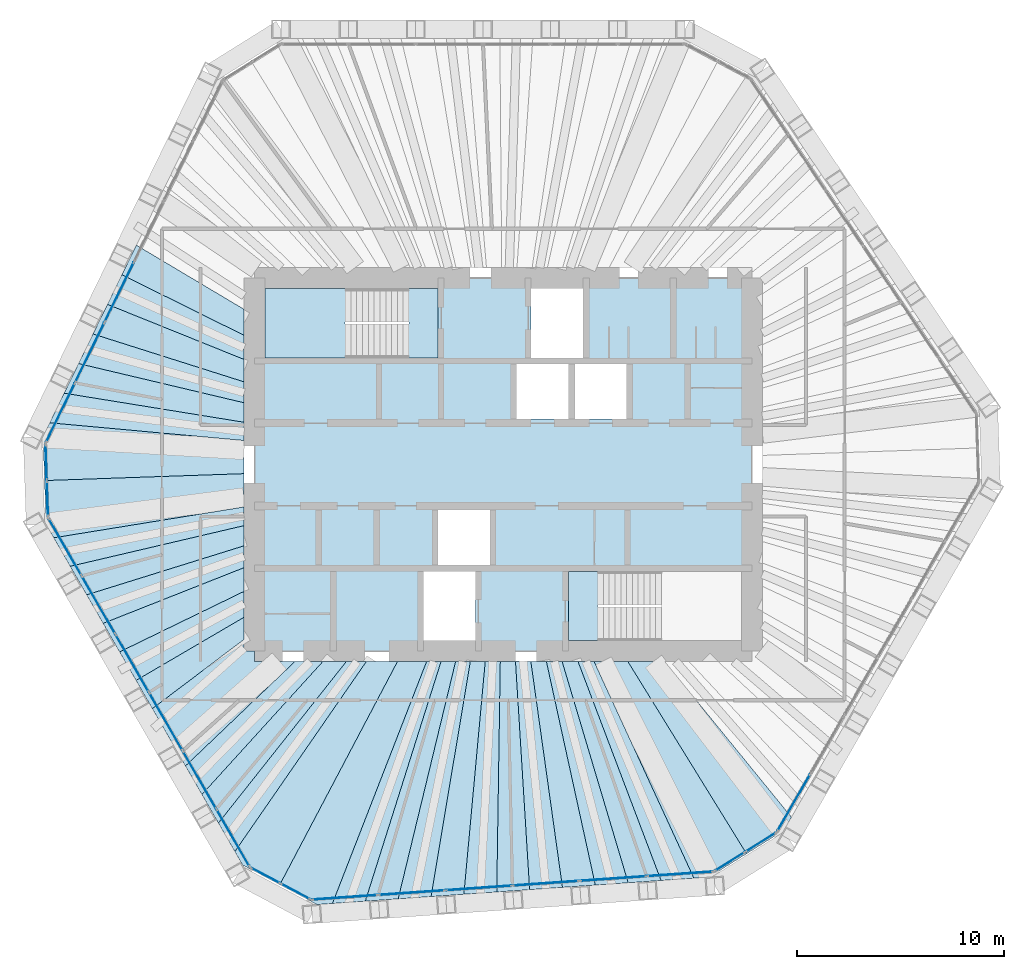
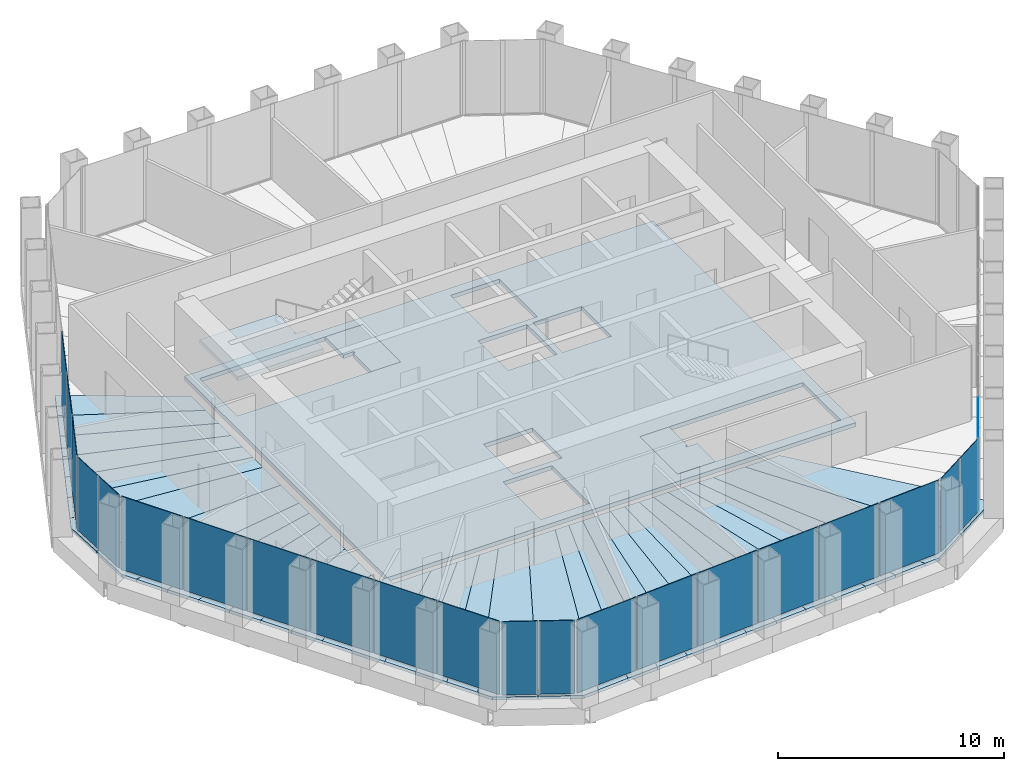
# One storey, part 9 of 14: 37 slabs, 22 plates, 9 elements without a shape of their own.
"""IFC4 building model written with IfcOpenShell, lengths in metres."""

from ifc_helpers import new_model, si_unit, direction, frame, origin, origin_2d, place, context, subcontext, project, spatial, polyline, rectangle, outline, extrude, material, layer, layer_set, type_object, element, aggregate, save


model = new_model("IFC4")

# Units and contexts
model_context = context("Model", 3, precision=1e-05, world=origin(), true_north=direction((0.0, 1.0)))
body_context = subcontext(model_context, "Body", "Model", "MODEL_VIEW")
ifc_project = project(units=[si_unit("LENGTHUNIT", "METRE"), si_unit("AREAUNIT", "SQUARE_METRE"), si_unit("VOLUMEUNIT", "CUBIC_METRE"), si_unit("PLANEANGLEUNIT", "RADIAN"), si_unit("MASSUNIT", "GRAM", prefix="KILO")], contexts=[model_context])

# Site, building, storey
site_placement = place(None, origin())
site = spatial("IfcSite", under=ifc_project, at=site_placement, CompositionType="ELEMENT")
building_placement = place(site_placement, origin())
building = spatial("IfcBuilding", under=site, at=building_placement, Name="Qingtian Harvest Tower", CompositionType="ELEMENT")
storey_placement = place(building_placement, frame((0.0, 0.0, 266.199951171875)))
storey = spatial("IfcBuildingStorey", under=building, at=storey_placement, Name="L58", CompositionType="ELEMENT", Elevation=266.199951171875)

# Slabs
ifc_material_1 = material(Name="Concrete fc' 35 MPa", Category="concrete")
ifc_layer_1 = layer(ifc_material_1, 0.169921875)
ifc_layer_set_1 = layer_set([ifc_layer_1], Name="Composite floor slab FS17 170")
slab_type_1 = type_object("IfcSlabType", Name="Composite floor slab FS17 170", PredefinedType="FLOOR", material=ifc_layer_set_1)
slab_1_placement = place(storey_placement, frame((0.0, 0.0, -0.169921875)))
element("IfcSlab", 1, at=slab_1_placement, inside=storey, type_object=slab_type_1, Name="Floor slab L58 panel D01", PredefinedType="FLOOR", context=body_context, shape_type="SweptSolid", body=[
    extrude(outline(polyline([(-22.1396484375, -0.7734375), (-12.5, -0.4404296875), (-12.5, -2.044921875), (-21.693603515625, -3.53564453125), (-22.06591796875, -2.890869140625), (-22.1396484375, -0.7734375)])), origin(), (0.0, 0.0, 1.0), 0.169921875),
])
slab_2_placement = place(storey_placement, frame((0.0, 0.0, -0.169921875)))
element("IfcSlab", 2, at=slab_2_placement, inside=storey, type_object=slab_type_1, Name="Floor slab L58 panel D02", PredefinedType="FLOOR", context=body_context, shape_type="SweptSolid", body=[
    extrude(outline(polyline([(-12.5, -2.94677734375), (-20.898681640625, -4.912109375), (-21.693603515625, -3.53564453125), (-12.5, -2.044921875), (-12.5, -2.94677734375)])), origin(), (0.0, 0.0, 1.0), 0.169921875),
])
slab_3_placement = place(storey_placement, frame((0.0, 0.0, -0.169921875)))
element("IfcSlab", 3, at=slab_3_placement, inside=storey, type_object=slab_type_1, Name="Floor slab L58 panel D03", PredefinedType="FLOOR", context=body_context, shape_type="SweptSolid", body=[
    extrude(outline(polyline([(-12.5, -3.919921875), (-20.10400390625, -6.288818359375), (-20.898681640625, -4.912109375), (-12.5, -2.94677734375), (-12.5, -3.919921875)])), origin(), (0.0, 0.0, 1.0), 0.169921875),
])
slab_4_placement = place(storey_placement, frame((0.0, 0.0, -0.169921875)))
element("IfcSlab", 4, at=slab_4_placement, inside=storey, type_object=slab_type_1, Name="Floor slab L58 panel D04", PredefinedType="FLOOR", context=body_context, shape_type="SweptSolid", body=[
    extrude(outline(polyline([(-12.5, -4.973388671875), (-19.30908203125, -7.66552734375), (-20.10400390625, -6.288818359375), (-12.5, -3.919921875), (-12.5, -4.973388671875)])), origin(), (0.0, 0.0, 1.0), 0.169921875),
])
slab_5_placement = place(storey_placement, frame((0.0, 0.0, -0.169921875)))
element("IfcSlab", 5, at=slab_5_placement, inside=storey, type_object=slab_type_1, Name="Floor slab L58 panel D05", PredefinedType="FLOOR", context=body_context, shape_type="SweptSolid", body=[
    extrude(outline(polyline([(-12.5, -6.1171875), (-18.51416015625, -9.042236328125), (-19.30908203125, -7.66552734375), (-12.5, -4.973388671875), (-12.5, -6.1171875)])), origin(), (0.0, 0.0, 1.0), 0.169921875),
])
slab_6_placement = place(storey_placement, frame((0.0, 0.0, -0.169921875)))
element("IfcSlab", 6, at=slab_6_placement, inside=storey, type_object=slab_type_1, Name="Floor slab L58 panel D06", PredefinedType="FLOOR", context=body_context, shape_type="SweptSolid", body=[
    extrude(outline(polyline([(-12.5, -7.364013671875), (-17.719482421875, -10.419189453125), (-18.51416015625, -9.042236328125), (-12.5, -6.1171875), (-12.5, -7.364013671875)])), origin(), (0.0, 0.0, 1.0), 0.169921875),
])
slab_7_placement = place(storey_placement, frame((0.0, 0.0, -0.169921875)))
element("IfcSlab", 7, at=slab_7_placement, inside=storey, type_object=slab_type_1, Name="Floor slab L58 panel D07", PredefinedType="FLOOR", context=body_context, shape_type="SweptSolid", body=[
    extrude(outline(polyline([(-12.5, -8.432373046875), (-16.93359375, -11.780029296875), (-17.719482421875, -10.419189453125), (-12.5, -7.364013671875), (-12.5, -8.432373046875)])), origin(), (0.0, 0.0, 1.0), 0.169921875),
])
slab_8_placement = place(storey_placement, frame((0.0, 0.0, -0.169921875)))
element("IfcSlab", 8, at=slab_8_placement, inside=storey, type_object=slab_type_1, Name="Floor slab L58 panel D09", PredefinedType="FLOOR", context=body_context, shape_type="SweptSolid", body=[
    extrude(outline(polyline([(-15.336181640625, -14.547119140625), (-16.93359375, -11.780029296875), (-12.5, -8.432373046875), (-12.5, -9.0), (-12.0, -9.0), (-12.0, -9.5), (-10.048828125, -9.5), (-15.336181640625, -14.547119140625)])), origin(), (0.0, 0.0, 1.0), 0.169921875),
])
slab_9_placement = place(storey_placement, frame((0.0, 0.0, -0.169921875)))
element("IfcSlab", 9, at=slab_9_placement, inside=storey, type_object=slab_type_1, Name="Floor slab L58 panel D10", PredefinedType="FLOOR", context=body_context, shape_type="SweptSolid", body=[
    extrude(outline(polyline([(-8.70068359375, -9.5), (-14.541259765625, -15.924072265625), (-15.336181640625, -14.547119140625), (-10.048828125, -9.5), (-8.70068359375, -9.5)])), origin(), (0.0, 0.0, 1.0), 0.169921875),
])
slab_10_placement = place(storey_placement, frame((0.0, 0.0, -0.169921875)))
element("IfcSlab", 10, at=slab_10_placement, inside=storey, type_object=slab_type_1, Name="Floor slab L58 panel D11", PredefinedType="FLOOR", context=body_context, shape_type="SweptSolid", body=[
    extrude(outline(polyline([(-7.568359375, -9.5), (-13.746337890625, -17.30078125), (-14.541259765625, -15.924072265625), (-8.70068359375, -9.5), (-7.568359375, -9.5)])), origin(), (0.0, 0.0, 1.0), 0.169921875),
])
slab_11_placement = place(storey_placement, frame((0.0, 0.0, -0.169921875)))
element("IfcSlab", 11, at=slab_11_placement, inside=storey, type_object=slab_type_1, Name="Floor slab L58 panel D12", PredefinedType="FLOOR", context=body_context, shape_type="SweptSolid", body=[
    extrude(outline(polyline([(-6.603515625, -9.5), (-12.951416015625, -18.677734375), (-13.746337890625, -17.30078125), (-7.568359375, -9.5), (-6.603515625, -9.5)])), origin(), (0.0, 0.0, 1.0), 0.169921875),
])
slab_12_placement = place(storey_placement, frame((0.0, 0.0, -0.169921875)))
element("IfcSlab", 12, at=slab_12_placement, inside=storey, type_object=slab_type_1, Name="Floor slab L58 panel D13", PredefinedType="FLOOR", context=body_context, shape_type="SweptSolid", body=[
    extrude(outline(polyline([(-6.603515625, -9.5), (-5.10009765625, -9.5), (-10.783447265625, -20.277099609375), (-12.5791015625, -19.322509765625), (-12.951416015625, -18.677734375), (-6.603515625, -9.5)])), origin(), (0.0, 0.0, 1.0), 0.169921875),
])
slab_13_placement = place(storey_placement, frame((0.0, 0.0, -0.169921875)))
element("IfcSlab", 13, at=slab_13_placement, inside=storey, type_object=slab_type_1, Name="Floor slab L58 panel D14", PredefinedType="FLOOR", context=body_context, shape_type="SweptSolid", body=[
    extrude(outline(polyline([(-5.10009765625, -9.5), (-3.696044921875, -9.5), (-8.24267578125, -21.181640625), (-8.98486328125, -21.2333984375), (-10.783447265625, -20.277099609375), (-5.10009765625, -9.5)])), origin(), (0.0, 0.0, 1.0), 0.169921875),
])
slab_14_placement = place(storey_placement, frame((0.0, 0.0, -0.169921875)))
element("IfcSlab", 14, at=slab_14_placement, inside=storey, type_object=slab_type_1, Name="Floor slab L58 panel D15", PredefinedType="FLOOR", context=body_context, shape_type="SweptSolid", body=[
    extrude(outline(polyline([(-3.00048828125, -9.5), (-6.656982421875, -21.07080078125), (-8.24267578125, -21.181640625), (-3.696044921875, -9.5), (-3.00048828125, -9.5)])), origin(), (0.0, 0.0, 1.0), 0.169921875),
])
slab_15_placement = place(storey_placement, frame((0.0, 0.0, -0.169921875)))
element("IfcSlab", 15, at=slab_15_placement, inside=storey, type_object=slab_type_1, Name="Floor slab L58 panel D16", PredefinedType="FLOOR", context=body_context, shape_type="SweptSolid", body=[
    extrude(outline(polyline([(-2.297607421875, -9.5), (-5.0712890625, -20.959716796875), (-6.656982421875, -21.07080078125), (-3.00048828125, -9.5), (-2.297607421875, -9.5)])), origin(), (0.0, 0.0, 1.0), 0.169921875),
])
slab_16_placement = place(storey_placement, frame((0.0, 0.0, -0.169921875)))
element("IfcSlab", 16, at=slab_16_placement, inside=storey, type_object=slab_type_1, Name="Floor slab L58 panel D17", PredefinedType="FLOOR", context=body_context, shape_type="SweptSolid", body=[
    extrude(outline(polyline([(-1.58740234375, -9.5), (-3.485595703125, -20.848876953125), (-5.0712890625, -20.959716796875), (-2.297607421875, -9.5), (-1.58740234375, -9.5)])), origin(), (0.0, 0.0, 1.0), 0.169921875),
])
slab_17_placement = place(storey_placement, frame((0.0, 0.0, -0.169921875)))
element("IfcSlab", 17, at=slab_17_placement, inside=storey, type_object=slab_type_1, Name="Floor slab L58 panel D18", PredefinedType="FLOOR", context=body_context, shape_type="SweptSolid", body=[
    extrude(outline(polyline([(-0.869384765625, -9.5), (-1.89990234375, -20.738037109375), (-3.485595703125, -20.848876953125), (-1.58740234375, -9.5), (-0.869384765625, -9.5)])), origin(), (0.0, 0.0, 1.0), 0.169921875),
])
slab_18_placement = place(storey_placement, frame((0.0, 0.0, -0.169921875)))
element("IfcSlab", 18, at=slab_18_placement, inside=storey, type_object=slab_type_1, Name="Floor slab L58 panel D19", PredefinedType="FLOOR", context=body_context, shape_type="SweptSolid", body=[
    extrude(outline(polyline([(-0.143798828125, -9.5), (-0.314208984375, -20.627197265625), (-1.89990234375, -20.738037109375), (-0.869384765625, -9.5), (-0.143798828125, -9.5)])), origin(), (0.0, 0.0, 1.0), 0.169921875),
])
slab_19_placement = place(storey_placement, frame((0.0, 0.0, -0.169921875)))
element("IfcSlab", 19, at=slab_19_placement, inside=storey, type_object=slab_type_1, Name="Floor slab L58 panel D20", PredefinedType="FLOOR", context=body_context, shape_type="SweptSolid", body=[
    extrude(outline(polyline([(0.58984375, -9.5), (1.271728515625, -20.516357421875), (-0.314208984375, -20.627197265625), (-0.143798828125, -9.5), (0.58984375, -9.5)])), origin(), (0.0, 0.0, 1.0), 0.169921875),
])
slab_20_placement = place(storey_placement, frame((0.0, 0.0, -0.169921875)))
element("IfcSlab", 20, at=slab_20_placement, inside=storey, type_object=slab_type_1, Name="Floor slab L58 panel D21", PredefinedType="FLOOR", context=body_context, shape_type="SweptSolid", body=[
    extrude(outline(polyline([(1.331298828125, -9.5), (2.857421875, -20.4052734375), (1.271728515625, -20.516357421875), (0.58984375, -9.5), (1.331298828125, -9.5)])), origin(), (0.0, 0.0, 1.0), 0.169921875),
])
slab_21_placement = place(storey_placement, frame((0.0, 0.0, -0.169921875)))
element("IfcSlab", 21, at=slab_21_placement, inside=storey, type_object=slab_type_1, Name="Floor slab L58 panel D22", PredefinedType="FLOOR", context=body_context, shape_type="SweptSolid", body=[
    extrude(outline(polyline([(2.080810546875, -9.5), (4.443115234375, -20.29443359375), (2.857421875, -20.4052734375), (1.331298828125, -9.5), (2.080810546875, -9.5)])), origin(), (0.0, 0.0, 1.0), 0.169921875),
])
slab_22_placement = place(storey_placement, frame((0.0, 0.0, -0.169921875)))
element("IfcSlab", 22, at=slab_22_placement, inside=storey, type_object=slab_type_1, Name="Floor slab L58 panel D23", PredefinedType="FLOOR", context=body_context, shape_type="SweptSolid", body=[
    extrude(outline(polyline([(2.838623046875, -9.5), (6.02880859375, -20.18359375), (4.443115234375, -20.29443359375), (2.080810546875, -9.5), (2.838623046875, -9.5)])), origin(), (0.0, 0.0, 1.0), 0.169921875),
])
slab_23_placement = place(storey_placement, frame((0.0, 0.0, -0.169921875)))
element("IfcSlab", 23, at=slab_23_placement, inside=storey, type_object=slab_type_1, Name="Floor slab L58 panel D24", PredefinedType="FLOOR", context=body_context, shape_type="SweptSolid", body=[
    extrude(outline(polyline([(3.604736328125, -9.5), (7.614501953125, -20.07275390625), (6.02880859375, -20.18359375), (2.838623046875, -9.5), (3.604736328125, -9.5)])), origin(), (0.0, 0.0, 1.0), 0.169921875),
])
slab_24_placement = place(storey_placement, frame((0.0, 0.0, -0.169921875)))
element("IfcSlab", 24, at=slab_24_placement, inside=storey, type_object=slab_type_1, Name="Floor slab L58 panel D25", PredefinedType="FLOOR", context=body_context, shape_type="SweptSolid", body=[
    extrude(outline(polyline([(4.379638671875, -9.5), (9.2001953125, -19.9619140625), (7.614501953125, -20.07275390625), (3.604736328125, -9.5), (4.379638671875, -9.5)])), origin(), (0.0, 0.0, 1.0), 0.169921875),
])
slab_25_placement = place(storey_placement, frame((0.0, 0.0, -0.169921875)))
element("IfcSlab", 25, at=slab_25_placement, inside=storey, type_object=slab_type_1, Name="Floor slab L58 panel D26", PredefinedType="FLOOR", context=body_context, shape_type="SweptSolid", body=[
    extrude(outline(polyline([(4.379638671875, -9.5), (6.0087890625, -9.5), (11.74169921875, -18.78564453125), (9.9423828125, -19.909912109375), (9.2001953125, -19.9619140625), (4.379638671875, -9.5)])), origin(), (0.0, 0.0, 1.0), 0.169921875),
])
slab_26_placement = place(storey_placement, frame((0.0, 0.0, -0.169921875)))
element("IfcSlab", 26, at=slab_26_placement, inside=storey, type_object=slab_type_1, Name="Floor slab L58 panel D27", PredefinedType="FLOOR", context=body_context, shape_type="SweptSolid", body=[
    extrude(outline(polyline([(6.0087890625, -9.5), (7.78515625, -9.5), (13.908935546875, -17.01904296875), (13.53662109375, -17.6640625), (11.74169921875, -18.78564453125), (6.0087890625, -9.5)])), origin(), (0.0, 0.0, 1.0), 0.169921875),
])
slab_27_placement = place(storey_placement, frame((0.0, 0.0, -0.169921875)))
element("IfcSlab", 27, at=slab_27_placement, inside=storey, type_object=slab_type_1, Name="Floor slab L58 panel D72", PredefinedType="FLOOR", context=body_context, shape_type="SweptSolid", body=[
    extrude(outline(polyline([(-12.5, 6.23095703125), (-18.403076171875, 9.157470703125), (-17.706298828125, 10.58642578125), (-12.5, 7.48583984375), (-12.5, 6.23095703125)])), origin(), (0.0, 0.0, 1.0), 0.169921875),
])
slab_28_placement = place(storey_placement, frame((0.0, 0.0, -0.169921875)))
element("IfcSlab", 28, at=slab_28_placement, inside=storey, type_object=slab_type_1, Name="Floor slab L58 panel D73", PredefinedType="FLOOR", context=body_context, shape_type="SweptSolid", body=[
    extrude(outline(polyline([(-12.5, 5.06787109375), (-19.10009765625, 7.728759765625), (-18.403076171875, 9.157470703125), (-12.5, 6.23095703125), (-12.5, 5.06787109375)])), origin(), (0.0, 0.0, 1.0), 0.169921875),
])
slab_29_placement = place(storey_placement, frame((0.0, 0.0, -0.169921875)))
element("IfcSlab", 29, at=slab_29_placement, inside=storey, type_object=slab_type_1, Name="Floor slab L58 panel D74", PredefinedType="FLOOR", context=body_context, shape_type="SweptSolid", body=[
    extrude(outline(polyline([(-12.5, 3.986572265625), (-19.796875, 6.2998046875), (-19.10009765625, 7.728759765625), (-12.5, 5.06787109375), (-12.5, 3.986572265625)])), origin(), (0.0, 0.0, 1.0), 0.169921875),
])
slab_30_placement = place(storey_placement, frame((0.0, 0.0, -0.169921875)))
element("IfcSlab", 30, at=slab_30_placement, inside=storey, type_object=slab_type_1, Name="Floor slab L58 panel D75", PredefinedType="FLOOR", context=body_context, shape_type="SweptSolid", body=[
    extrude(outline(polyline([(-12.5, 2.97900390625), (-20.49365234375, 4.87109375), (-19.796875, 6.2998046875), (-12.5, 3.986572265625), (-12.5, 2.97900390625)])), origin(), (0.0, 0.0, 1.0), 0.169921875),
])
slab_31_placement = place(storey_placement, frame((0.0, 0.0, -0.169921875)))
element("IfcSlab", 31, at=slab_31_placement, inside=storey, type_object=slab_type_1, Name="Floor slab L58 panel D76", PredefinedType="FLOOR", context=body_context, shape_type="SweptSolid", body=[
    extrude(outline(polyline([(-12.5, 2.037841796875), (-21.190673828125, 3.4423828125), (-20.49365234375, 4.87109375), (-12.5, 2.97900390625), (-12.5, 2.037841796875)])), origin(), (0.0, 0.0, 1.0), 0.169921875),
])
slab_32_placement = place(storey_placement, frame((0.0, 0.0, -0.169921875)))
element("IfcSlab", 32, at=slab_32_placement, inside=storey, type_object=slab_type_1, Name="Floor slab L58 panel D77", PredefinedType="FLOOR", context=body_context, shape_type="SweptSolid", body=[
    extrude(outline(polyline([(-12.5, 1.156494140625), (-21.887451171875, 2.013671875), (-21.190673828125, 3.4423828125), (-12.5, 2.037841796875), (-12.5, 1.156494140625)])), origin(), (0.0, 0.0, 1.0), 0.169921875),
])
slab_33_placement = place(storey_placement, frame((0.0, 0.0, -0.169921875)))
element("IfcSlab", 33, at=slab_33_placement, inside=storey, type_object=slab_type_1, Name="Floor slab L58 panel D78", PredefinedType="FLOOR", context=body_context, shape_type="SweptSolid", body=[
    extrude(outline(polyline([(-12.5, 1.156494140625), (-12.5, -0.4404296875), (-22.1396484375, -0.7734375), (-22.213623046875, 1.3447265625), (-21.887451171875, 2.013671875), (-12.5, 1.156494140625)])), origin(), (0.0, 0.0, 1.0), 0.169921875),
])
ifc_material_2 = material(Name="Concrete fc' 35 MPa", Category="concrete")
ifc_layer_2 = layer(ifc_material_2, 0.219970703125)
ifc_layer_set_2 = layer_set([ifc_layer_2], Name="Core floor slab CS22 220")
slab_type_2 = type_object("IfcSlabType", Name="Core floor slab CS22 220", PredefinedType="FLOOR", material=ifc_layer_set_2)
slab_34_placement = place(storey_placement, frame((0.0, 0.0, -0.219970703125)))
element("IfcSlab", 34, at=slab_34_placement, inside=storey, type_object=slab_type_2, Name="Core floor slab L58", PredefinedType="FLOOR", context=body_context, shape_type="SweptSolid", body=[
    extrude(outline(polyline([(-12.0, -9.0), (12.0, -9.0), (12.0, 9.0), (-12.0, 9.0), (-12.0, -9.0)]), holes=[polyline([(-11.5, 5.14990234375), (-3.14990234375, 5.14990234375), (-3.14990234375, 8.5), (-11.5, 8.5), (-11.5, 5.14990234375)]), polyline([(3.14990234375, -8.5), (11.5, -8.5), (11.5, -5.14990234375), (3.14990234375, -5.14990234375), (3.14990234375, -8.5)]), polyline([(1.35009765625, 5.14990234375), (3.85009765625, 5.14990234375), (3.85009765625, 8.5), (1.35009765625, 8.5), (1.35009765625, 5.14990234375)]), polyline([(-3.85009765625, -8.5), (-1.35009765625, -8.5), (-1.35009765625, -5.14990234375), (-3.85009765625, -5.14990234375), (-3.85009765625, -8.5)]), polyline([(0.64990234375, 2.199951171875), (3.14990234375, 2.199951171875), (3.14990234375, 4.85009765625), (0.64990234375, 4.85009765625), (0.64990234375, 2.199951171875)]), polyline([(3.449951171875, 2.199951171875), (5.949951171875, 2.199951171875), (5.949951171875, 4.85009765625), (3.449951171875, 4.85009765625), (3.449951171875, 2.199951171875)]), polyline([(-3.14990234375, -4.85009765625), (-0.64990234375, -4.85009765625), (-0.64990234375, -2.199951171875), (-3.14990234375, -2.199951171875), (-3.14990234375, -4.85009765625)])]), origin(), (0.0, 0.0, 1.0), 0.219970703125),
])

# Curtain wall, plate
ifc_material_3 = material(Name="Bronze-anodised aluminium curtain wall", Category="aluminium")
curtain_wall_type = type_object("IfcCurtainWallType", Name="Curtain wall CW5 upper office", PredefinedType="USERDEFINED", material=ifc_material_3)
curtain_wall_1_placement = place(storey_placement, origin())
curtain_wall_1 = element("IfcCurtainWall", 35, at=curtain_wall_1_placement, inside=storey, type_object=curtain_wall_type, Name="Curtain wall CW5 L58 SE0-5", ObjectType="RECESSED CURTAIN WALL", PredefinedType="USERDEFINED")
ifc_material_4 = material(Name="Bronze-tinted laminated insulating glass", Category="glass")
ifc_layer_3 = layer(ifc_material_4, 0.030029296875)
ifc_layer_set_3 = layer_set([ifc_layer_3], Name="Glazed panel CWP tinted IGU")
plate_type = type_object("IfcPlateType", Name="Glazed panel CWP tinted IGU", PredefinedType="CURTAIN_PANEL", material=ifc_layer_set_3)
plate_1_placement = place(storey_placement, frame((14.017578125, -16.321044921875, 0.06494140625), z_axis=(0.0, 0.0, 1.0), x_axis=(-0.5, -0.866025403784, 0.0)))
plate_1 = element("IfcPlate", 36, at=plate_1_placement, type_object=plate_type, Name="CW5 panel 6.1", PredefinedType="CURTAIN_PANEL", context=body_context, shape_type="SweptSolid", body=[
    extrude(rectangle(XDim=3.150634765625, YDim=0.030029296875, at=origin_2d()), origin(), (0.0, 0.0, 1.0), 3.965087890625),
])
aggregate(curtain_wall_1, [plate_1])

# Curtain wall, plates
curtain_wall_2_placement = place(storey_placement, origin())
curtain_wall_2 = element("IfcCurtainWall", 37, at=curtain_wall_2_placement, inside=storey, type_object=curtain_wall_type, Name="Curtain wall CW5 L58 SEC", ObjectType="RECESSED CURTAIN WALL", PredefinedType="USERDEFINED")
plate_2_placement = place(storey_placement, frame((12.42431640625, -18.224609375, 0.06494140625), z_axis=(0.0, 0.0, 1.0), x_axis=(-0.848048096156, -0.529919264233, 0.0)))
plate_2 = element("IfcPlate", 38, at=plate_2_placement, type_object=plate_type, Name="CW5 panel 1.1", PredefinedType="CURTAIN_PANEL", context=body_context, shape_type="SweptSolid", body=[
    extrude(rectangle(XDim=1.69287109375, YDim=0.030029296875, at=origin_2d()), origin(), (0.0, 0.0, 1.0), 3.965087890625),
])
plate_3_placement = place(storey_placement, frame((10.93359375, -19.156005859375, 0.06494140625), z_axis=(0.0, 0.0, 1.0), x_axis=(-0.848048096156, -0.529919264233, 0.0)))
plate_3 = element("IfcPlate", 39, at=plate_3_placement, type_object=plate_type, Name="CW5 panel 2.1", PredefinedType="CURTAIN_PANEL", context=body_context, shape_type="SweptSolid", body=[
    extrude(rectangle(XDim=1.69287109375, YDim=0.030029296875, at=origin_2d()), origin(), (0.0, 0.0, 1.0), 3.965087890625),
])
aggregate(curtain_wall_2, [plate_2, plate_3])

curtain_wall_3_placement = place(storey_placement, origin())
curtain_wall_3 = element("IfcCurtainWall", 40, at=curtain_wall_3_placement, inside=storey, type_object=curtain_wall_type, Name="Curtain wall CW5 L58 S0-5", ObjectType="RECESSED CURTAIN WALL", PredefinedType="USERDEFINED")
plate_4_placement = place(storey_placement, frame((8.5244140625, -19.75341796875, 0.06494140625), z_axis=(0.0, 0.0, 1.0), x_axis=(-0.99756405026, -0.069756473744, 0.0)))
plate_4 = element("IfcPlate", 41, at=plate_4_placement, type_object=plate_type, Name="CW5 panel 1.1", PredefinedType="CURTAIN_PANEL", context=body_context, shape_type="SweptSolid", body=[
    extrude(rectangle(XDim=3.150634765625, YDim=0.030029296875, at=origin_2d()), origin(), (0.0, 0.0, 1.0), 3.965087890625),
])
plate_5_placement = place(storey_placement, frame((5.300537109375, -19.97900390625, 0.06494140625), z_axis=(0.0, 0.0, 1.0), x_axis=(-0.99756405026, -0.069756473744, 0.0)))
plate_5 = element("IfcPlate", 42, at=plate_5_placement, type_object=plate_type, Name="CW5 panel 2.1", PredefinedType="CURTAIN_PANEL", context=body_context, shape_type="SweptSolid", body=[
    extrude(rectangle(XDim=3.18310546875, YDim=0.030029296875, at=origin_2d()), origin(), (0.0, 0.0, 1.0), 3.965087890625),
])
plate_6_placement = place(storey_placement, frame((2.060302734375, -20.20556640625, 0.06494140625), z_axis=(0.0, 0.0, 1.0), x_axis=(-0.99756405026, -0.069756473744, 0.0)))
plate_6 = element("IfcPlate", 43, at=plate_6_placement, type_object=plate_type, Name="CW5 panel 3.1", PredefinedType="CURTAIN_PANEL", context=body_context, shape_type="SweptSolid", body=[
    extrude(rectangle(XDim=3.18310546875, YDim=0.030029296875, at=origin_2d()), origin(), (0.0, 0.0, 1.0), 3.965087890625),
])
plate_7_placement = place(storey_placement, frame((-1.1796875, -20.43212890625, 0.06494140625), z_axis=(0.0, 0.0, 1.0), x_axis=(-0.99756405026, -0.069756473744, 0.0)))
plate_7 = element("IfcPlate", 44, at=plate_7_placement, type_object=plate_type, Name="CW5 panel 4.1", PredefinedType="CURTAIN_PANEL", context=body_context, shape_type="SweptSolid", body=[
    extrude(rectangle(XDim=3.18310546875, YDim=0.030029296875, at=origin_2d()), origin(), (0.0, 0.0, 1.0), 3.965087890625),
])
plate_8_placement = place(storey_placement, frame((-4.419921875, -20.65869140625, 0.06494140625), z_axis=(0.0, 0.0, 1.0), x_axis=(-0.99756405026, -0.069756473744, 0.0)))
plate_8 = element("IfcPlate", 45, at=plate_8_placement, type_object=plate_type, Name="CW5 panel 5.1", PredefinedType="CURTAIN_PANEL", context=body_context, shape_type="SweptSolid", body=[
    extrude(rectangle(XDim=3.18310546875, YDim=0.030029296875, at=origin_2d()), origin(), (0.0, 0.0, 1.0), 3.965087890625),
])
plate_9_placement = place(storey_placement, frame((-7.643798828125, -20.884033203125, 0.06494140625), z_axis=(0.0, 0.0, 1.0), x_axis=(-0.99756405026, -0.069756473744, 0.0)))
plate_9 = element("IfcPlate", 46, at=plate_9_placement, type_object=plate_type, Name="CW5 panel 6.1", PredefinedType="CURTAIN_PANEL", context=body_context, shape_type="SweptSolid", body=[
    extrude(rectangle(XDim=3.150634765625, YDim=0.030029296875, at=origin_2d()), origin(), (0.0, 0.0, 1.0), 3.965087890625),
])
aggregate(curtain_wall_3, [plate_4, plate_5, plate_6, plate_7, plate_8, plate_9])

curtain_wall_4_placement = place(storey_placement, origin())
curtain_wall_4 = element("IfcCurtainWall", 47, at=curtain_wall_4_placement, inside=storey, type_object=curtain_wall_type, Name="Curtain wall CW5 L58 SC", ObjectType="RECESSED CURTAIN WALL", PredefinedType="USERDEFINED")
plate_10_placement = place(storey_placement, frame((-10.029296875, -20.60009765625, 0.06494140625), z_axis=(0.0, 0.0, 1.0), x_axis=(-0.882947592859, 0.469471562786, 0.0)))
plate_10 = element("IfcPlate", 48, at=plate_10_placement, type_object=plate_type, Name="CW5 panel 1.1", PredefinedType="CURTAIN_PANEL", context=body_context, shape_type="SweptSolid", body=[
    extrude(rectangle(XDim=1.56689453125, YDim=0.030029296875, at=origin_2d()), origin(), (0.0, 0.0, 1.0), 3.965087890625),
])
plate_11_placement = place(storey_placement, frame((-11.469970703125, -19.833984375, 0.06494140625), z_axis=(0.0, 0.0, 1.0), x_axis=(-0.882947592859, 0.469471562786, 0.0)))
plate_11 = element("IfcPlate", 49, at=plate_11_placement, type_object=plate_type, Name="CW5 panel 2.1", PredefinedType="CURTAIN_PANEL", context=body_context, shape_type="SweptSolid", body=[
    extrude(rectangle(XDim=1.56689453125, YDim=0.030029296875, at=origin_2d()), origin(), (0.0, 0.0, 1.0), 3.965087890625),
])
aggregate(curtain_wall_4, [plate_10, plate_11])

curtain_wall_5_placement = place(storey_placement, origin())
curtain_wall_5 = element("IfcCurtainWall", 50, at=curtain_wall_5_placement, inside=storey, type_object=curtain_wall_type, Name="Curtain wall CW5 L58 SW0-5", ObjectType="RECESSED CURTAIN WALL", PredefinedType="USERDEFINED")
plate_12_placement = place(storey_placement, frame((-13.039306640625, -18.01513671875, 0.06494140625), z_axis=(0.0, 0.0, 1.0), x_axis=(-0.5, 0.866025403784, 0.0)))
plate_12 = element("IfcPlate", 51, at=plate_12_placement, type_object=plate_type, Name="CW5 panel 1.1", PredefinedType="CURTAIN_PANEL", context=body_context, shape_type="SweptSolid", body=[
    extrude(rectangle(XDim=3.150634765625, YDim=0.030029296875, at=origin_2d()), origin(), (0.0, 0.0, 1.0), 3.965087890625),
])
plate_13_placement = place(storey_placement, frame((-14.6552734375, -15.216552734375, 0.06494140625), z_axis=(0.0, 0.0, 1.0), x_axis=(-0.5, 0.866025403784, 0.0)))
plate_13 = element("IfcPlate", 52, at=plate_13_placement, type_object=plate_type, Name="CW5 panel 2.1", PredefinedType="CURTAIN_PANEL", context=body_context, shape_type="SweptSolid", body=[
    extrude(rectangle(XDim=3.18310546875, YDim=0.030029296875, at=origin_2d()), origin(), (0.0, 0.0, 1.0), 3.965087890625),
])
plate_14_placement = place(storey_placement, frame((-16.279296875, -12.403564453125, 0.06494140625), z_axis=(0.0, 0.0, 1.0), x_axis=(-0.5, 0.866025403784, 0.0)))
plate_14 = element("IfcPlate", 53, at=plate_14_placement, type_object=plate_type, Name="CW5 panel 3.1", PredefinedType="CURTAIN_PANEL", context=body_context, shape_type="SweptSolid", body=[
    extrude(rectangle(XDim=3.18310546875, YDim=0.030029296875, at=origin_2d()), origin(), (0.0, 0.0, 1.0), 3.965087890625),
])
plate_15_placement = place(storey_placement, frame((-17.9033203125, -9.590576171875, 0.06494140625), z_axis=(0.0, 0.0, 1.0), x_axis=(-0.5, 0.866025403784, 0.0)))
plate_15 = element("IfcPlate", 54, at=plate_15_placement, type_object=plate_type, Name="CW5 panel 4.1", PredefinedType="CURTAIN_PANEL", context=body_context, shape_type="SweptSolid", body=[
    extrude(rectangle(XDim=3.18310546875, YDim=0.030029296875, at=origin_2d()), origin(), (0.0, 0.0, 1.0), 3.965087890625),
])
plate_16_placement = place(storey_placement, frame((-19.52734375, -6.77783203125, 0.06494140625), z_axis=(0.0, 0.0, 1.0), x_axis=(-0.5, 0.866025403784, 0.0)))
plate_16 = element("IfcPlate", 55, at=plate_16_placement, type_object=plate_type, Name="CW5 panel 5.1", PredefinedType="CURTAIN_PANEL", context=body_context, shape_type="SweptSolid", body=[
    extrude(rectangle(XDim=3.18310546875, YDim=0.030029296875, at=origin_2d()), origin(), (0.0, 0.0, 1.0), 3.965087890625),
])
plate_17_placement = place(storey_placement, frame((-21.14306640625, -3.97900390625, 0.06494140625), z_axis=(0.0, 0.0, 1.0), x_axis=(-0.5, 0.866025403784, 0.0)))
plate_17 = element("IfcPlate", 56, at=plate_17_placement, type_object=plate_type, Name="CW5 panel 6.1", PredefinedType="CURTAIN_PANEL", context=body_context, shape_type="SweptSolid", body=[
    extrude(rectangle(XDim=3.150634765625, YDim=0.030029296875, at=origin_2d()), origin(), (0.0, 0.0, 1.0), 3.965087890625),
])
aggregate(curtain_wall_5, [plate_12, plate_13, plate_14, plate_15, plate_16, plate_17])

curtain_wall_6_placement = place(storey_placement, origin())
curtain_wall_6 = element("IfcCurtainWall", 57, at=curtain_wall_6_placement, inside=storey, type_object=curtain_wall_type, Name="Curtain wall CW5 L58 SWC", ObjectType="RECESSED CURTAIN WALL", PredefinedType="USERDEFINED")
plate_18_placement = place(storey_placement, frame((-21.9951171875, -1.647705078125, 0.06494140625), z_axis=(0.0, 0.0, 1.0), x_axis=(-0.034899496703, 0.999390827019, 0.0)))
plate_18 = element("IfcPlate", 58, at=plate_18_placement, type_object=plate_type, Name="CW5 panel 1.1", PredefinedType="CURTAIN_PANEL", context=body_context, shape_type="SweptSolid", body=[
    extrude(rectangle(XDim=1.69287109375, YDim=0.030029296875, at=origin_2d()), origin(), (0.0, 0.0, 1.0), 3.965087890625),
])
plate_19_placement = place(storey_placement, frame((-22.056396484375, 0.109375, 0.06494140625), z_axis=(0.0, 0.0, 1.0), x_axis=(-0.034899496703, 0.999390827019, 0.0)))
plate_19 = element("IfcPlate", 59, at=plate_19_placement, type_object=plate_type, Name="CW5 panel 2.1", PredefinedType="CURTAIN_PANEL", context=body_context, shape_type="SweptSolid", body=[
    extrude(rectangle(XDim=1.69287109375, YDim=0.030029296875, at=origin_2d()), origin(), (0.0, 0.0, 1.0), 3.965087890625),
])
aggregate(curtain_wall_6, [plate_18, plate_19])

curtain_wall_7_placement = place(storey_placement, origin())
curtain_wall_7 = element("IfcCurtainWall", 60, at=curtain_wall_7_placement, inside=storey, type_object=curtain_wall_type, Name="Curtain wall CW5 L58 NW0-5", ObjectType="RECESSED CURTAIN WALL", PredefinedType="USERDEFINED")
plate_20_placement = place(storey_placement, frame((-21.369140625, 2.494384765625, 0.06494140625), z_axis=(0.0, 0.0, 1.0), x_axis=(0.438371146789, 0.898794046299, 0.0)))
plate_20 = element("IfcPlate", 61, at=plate_20_placement, type_object=plate_type, Name="CW5 panel 1.1", PredefinedType="CURTAIN_PANEL", context=body_context, shape_type="SweptSolid", body=[
    extrude(rectangle(XDim=3.150634765625, YDim=0.030029296875, at=origin_2d()), origin(), (0.0, 0.0, 1.0), 3.965087890625),
])
plate_21_placement = place(storey_placement, frame((-19.952392578125, 5.399169921875, 0.06494140625), z_axis=(0.0, 0.0, 1.0), x_axis=(0.438371146789, 0.898794046299, 0.0)))
plate_21 = element("IfcPlate", 62, at=plate_21_placement, type_object=plate_type, Name="CW5 panel 2.1", PredefinedType="CURTAIN_PANEL", context=body_context, shape_type="SweptSolid", body=[
    extrude(rectangle(XDim=3.18310546875, YDim=0.030029296875, at=origin_2d()), origin(), (0.0, 0.0, 1.0), 3.965087890625),
])
plate_22_placement = place(storey_placement, frame((-18.528564453125, 8.318359375, 0.06494140625), z_axis=(0.0, 0.0, 1.0), x_axis=(0.438371146789, 0.898794046299, 0.0)))
plate_22 = element("IfcPlate", 63, at=plate_22_placement, type_object=plate_type, Name="CW5 panel 3.1", PredefinedType="CURTAIN_PANEL", context=body_context, shape_type="SweptSolid", body=[
    extrude(rectangle(XDim=3.18310546875, YDim=0.030029296875, at=origin_2d()), origin(), (0.0, 0.0, 1.0), 3.965087890625),
])
aggregate(curtain_wall_7, [plate_20, plate_21, plate_22])

# Stair, slabs
ifc_material_5 = material(Name="Concrete fc' 35 MPa", Category="concrete")
stair_type = type_object("IfcStairType", Name="Special stair ST6 4200", PredefinedType="HALF_TURN_STAIR", material=ifc_material_5)
stair_1_placement = place(storey_placement, origin())
stair_1 = element("IfcStair", 64, at=stair_1_placement, inside=storey, type_object=stair_type, Name="Special stair S1 L58", PredefinedType="HALF_TURN_STAIR")
ifc_material_6 = material(Name="Concrete fc' 35 MPa", Category="concrete")
ifc_layer_4 = layer(ifc_material_6, 0.199951171875)
ifc_layer_set_4 = layer_set([ifc_layer_4], Name="Stair landing SL2 200")
slab_type_3 = type_object("IfcSlabType", Name="Stair landing SL2 200", PredefinedType="LANDING", material=ifc_layer_set_4)
slab_35_placement = place(storey_placement, frame((0.0, 0.0, -0.199951171875)))
slab_35 = element("IfcSlab", 65, at=slab_35_placement, type_object=slab_type_3, Name="S1 landing 1", PredefinedType="LANDING", context=body_context, shape_type="SweptSolid", body=[
    extrude(outline(polyline([(-4.64990234375, 5.14990234375), (-4.64990234375, 6.77490234375), (-4.550048828125, 6.77490234375), (-4.550048828125, 6.875), (-5.0849609375, 6.875), (-5.0849609375, 8.5), (-3.14990234375, 8.5), (-3.14990234375, 5.14990234375), (-4.64990234375, 5.14990234375)])), origin(), (0.0, 0.0, 1.0), 0.199951171875),
])
slab_36_placement = place(storey_placement, frame((0.0, 0.0, 1.900146484375)))
slab_36 = element("IfcSlab", 66, at=slab_36_placement, type_object=slab_type_3, Name="S1 landing 2", PredefinedType="LANDING", context=body_context, shape_type="SweptSolid", body=[
    extrude(outline(polyline([(-7.094970703125, 5.14990234375), (-11.5, 5.14990234375), (-11.5, 8.5), (-7.530029296875, 8.5), (-7.530029296875, 6.875), (-7.6298828125, 6.875), (-7.6298828125, 6.77490234375), (-7.094970703125, 6.77490234375), (-7.094970703125, 5.14990234375)])), origin(), (0.0, 0.0, 1.0), 0.199951171875),
])
aggregate(stair_1, [slab_35, slab_36])

# Stair, slab
stair_2_placement = place(storey_placement, origin())
stair_2 = element("IfcStair", 67, at=stair_2_placement, inside=storey, type_object=stair_type, Name="Special stair S2 L58", PredefinedType="HALF_TURN_STAIR")
slab_37_placement = place(storey_placement, frame((0.0, 0.0, -0.199951171875)))
slab_37 = element("IfcSlab", 68, at=slab_37_placement, type_object=slab_type_3, Name="S2 landing 1", PredefinedType="LANDING", context=body_context, shape_type="SweptSolid", body=[
    extrude(outline(polyline([(5.0849609375, -8.5), (3.14990234375, -8.5), (3.14990234375, -5.14990234375), (4.64990234375, -5.14990234375), (4.64990234375, -6.77490234375), (4.550048828125, -6.77490234375), (4.550048828125, -6.875), (5.0849609375, -6.875), (5.0849609375, -8.5)])), origin(), (0.0, 0.0, 1.0), 0.199951171875),
])
aggregate(stair_2, [slab_37])

save(model, "model.ifc")
